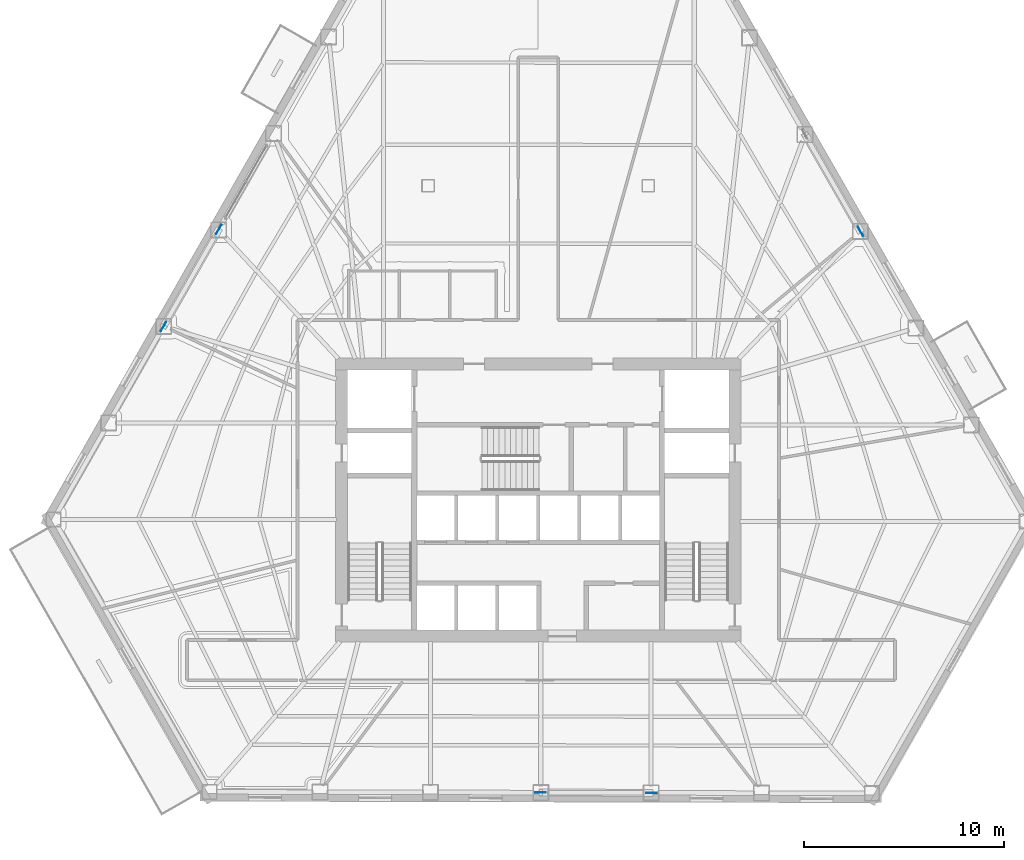
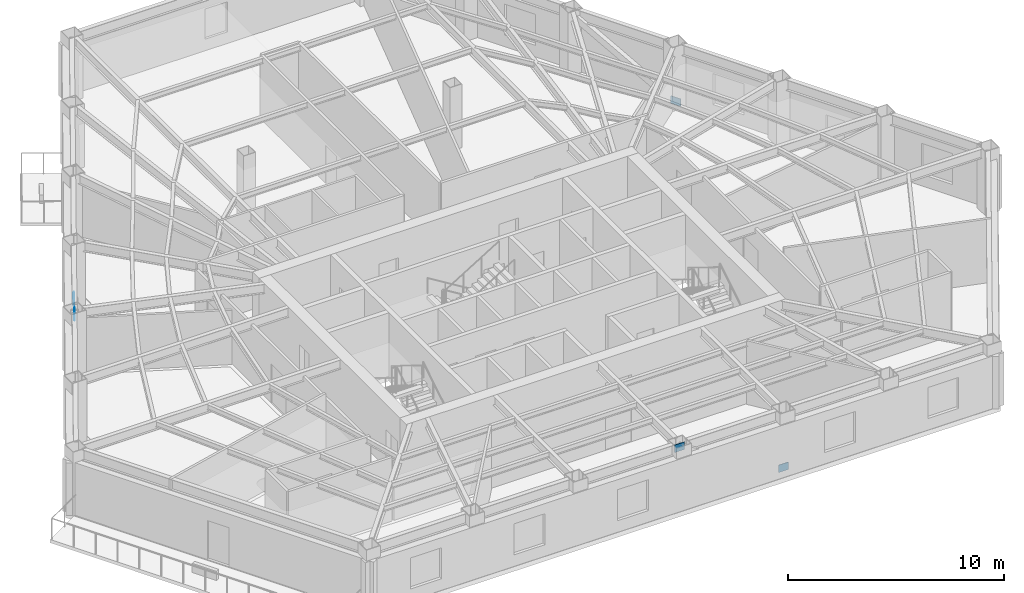
# One storey, part 6 of 14: 5 plates.
"""IFC4 building model written with IfcOpenShell, lengths in metres."""

from ifc_helpers import new_model, si_unit, direction, frame, origin, origin_2d, place, context, subcontext, project, spatial, rectangle, extrude, material, layer, layer_set, type_object, element, save


model = new_model("IFC4")

# Units and contexts
model_context = context("Model", 3, precision=1e-05, world=origin(), true_north=direction((0.0, 1.0)))
body_context = subcontext(model_context, "Body", "Model", "MODEL_VIEW")
ifc_project = project(units=[si_unit("LENGTHUNIT", "METRE"), si_unit("AREAUNIT", "SQUARE_METRE"), si_unit("VOLUMEUNIT", "CUBIC_METRE"), si_unit("PLANEANGLEUNIT", "RADIAN"), si_unit("MASSUNIT", "GRAM", prefix="KILO")], contexts=[model_context])

# Site, building, storey
site_placement = place(None, origin())
site = spatial("IfcSite", under=ifc_project, at=site_placement, CompositionType="ELEMENT")
building_placement = place(site_placement, origin())
building = spatial("IfcBuilding", under=site, at=building_placement, Name="Kavelnor Concourse Tower", CompositionType="ELEMENT")
storey_placement = place(building_placement, frame((0.0, 0.0, 32.949951171875)))
storey = spatial("IfcBuildingStorey", under=building, at=storey_placement, Name="L08", CompositionType="ELEMENT", Elevation=32.949951171875)

# Plates
ifc_material = material(Name="Steel Grade 350", Category="steel")
ifc_layer = layer(ifc_material, 0.031982421875, Name="Steel Grade 350")
ifc_layer_set = layer_set([ifc_layer], Name="Steel Grade 350")
plate_type = type_object("IfcPlateType", Name="PL-GUSSET-TUBE-Z1", PredefinedType="USERDEFINED", material=ifc_layer_set)
for number, where, z_axis, x_axis, name in (
    (1, (22.0361328125, 29.610107421875, 0.010009765625), (0.0, 0.0, 1.0), (-0.495003786139, -0.868890816908, 0.0), "L08 Tube Brace Gusset GP3 F0-B3 End Gusset A"),
    (2, (19.27734375, 24.767578125, 3.073974609375), (0.0, 0.0, 1.0), (-0.495003786139, -0.868890816908, 0.0), "L08 Tube Brace Gusset GP3 F0-B3 End Gusset B"),
    (3, (43.653076171875, 1.474365234375, 0.010009765625), (0.0, 0.0, 1.0), (-0.999997425984, 0.002268926081, 0.0), "L08 Tube Brace Gusset GP3 F1-B3 End Gusset A"),
    (4, (38.114990234375, 1.486572265625, 3.073974609375), (0.0, 0.0, 1.0), (-0.999997425984, 0.002268926081, 0.0), "L08 Tube Brace Gusset GP3 F1-B3 End Gusset B"),
    (5, (54.1025390625, 29.51611328125, 0.010009765625), (0.0, 0.0, 1.0), (-0.496973961028, 0.867765453369, 0.0), "L08 Tube Brace Gusset GP3 F2-B3 End Gusset A"),
):
    element("IfcPlate", number, at=place(storey_placement, frame(where, z_axis=z_axis, x_axis=x_axis)), inside=storey, type_object=plate_type, Name=name, ObjectType="GUSSET_PLATE", PredefinedType="USERDEFINED", context=body_context, shape_type="SweptSolid", body=[
        extrude(rectangle(XDim=0.52001953125, YDim=0.031982421875, at=origin_2d()), origin(), (0.0, 0.0, 1.0), 0.419921875),
    ])

save(model, "model.ifc")
